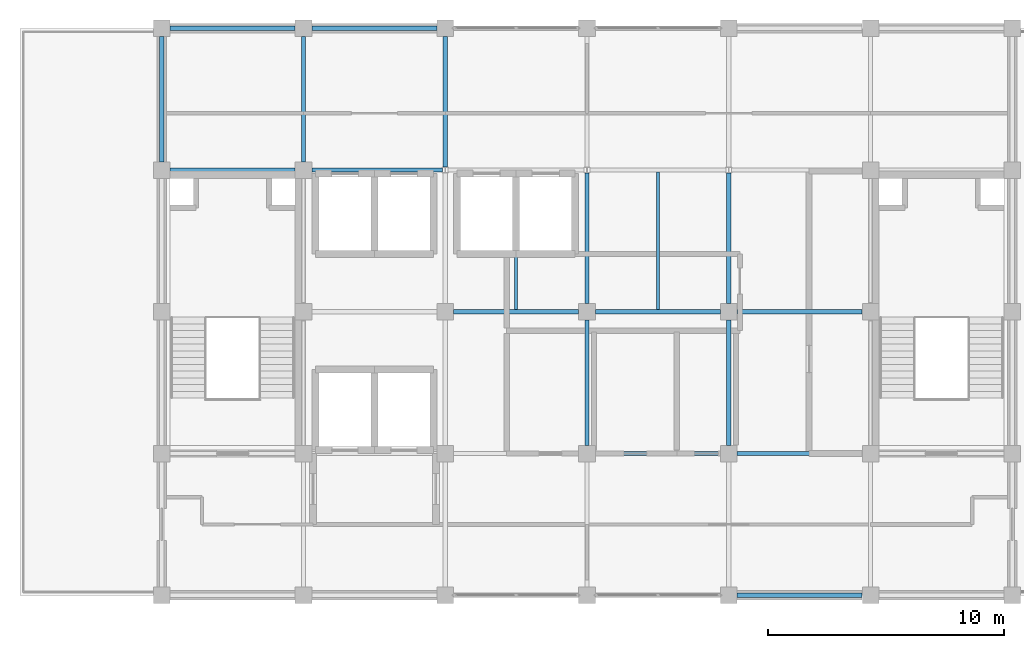
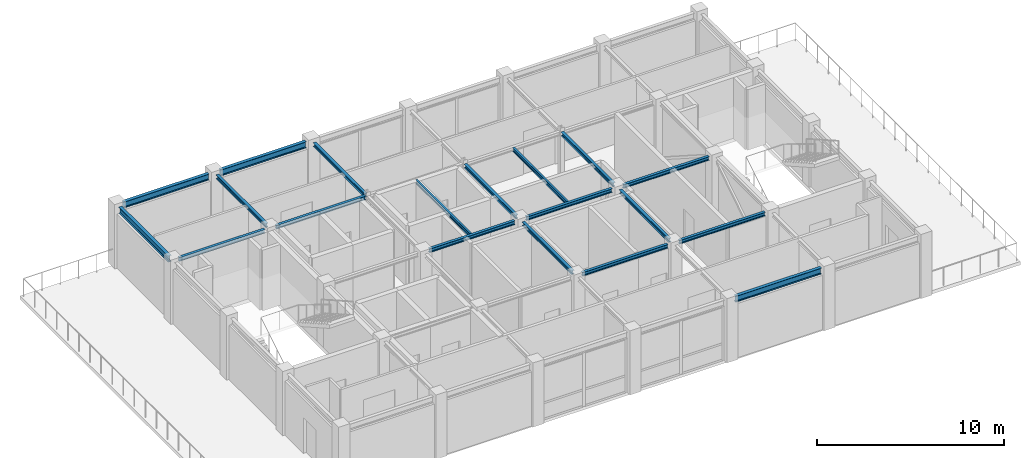
# One storey, part 7 of 14: 19 beams.
"""IFC4 building model written with IfcOpenShell, lengths in metres."""

from ifc_helpers import new_model, si_unit, direction, frame, origin, origin_2d, place, context, subcontext, project, spatial, i_section, extrude, material, material_profile, profile_set, type_object, element, save


model = new_model("IFC4")

# Units and contexts
model_context = context("Model", 3, precision=1e-05, world=origin(), true_north=direction((0.0, 1.0)))
body_context = subcontext(model_context, "Body", "Model", "MODEL_VIEW")
ifc_project = project(units=[si_unit("LENGTHUNIT", "METRE"), si_unit("AREAUNIT", "SQUARE_METRE"), si_unit("VOLUMEUNIT", "CUBIC_METRE"), si_unit("PLANEANGLEUNIT", "RADIAN"), si_unit("MASSUNIT", "GRAM", prefix="KILO")], contexts=[model_context])

# Site, building, storey
site_placement = place(None, origin())
site = spatial("IfcSite", under=ifc_project, at=site_placement, CompositionType="ELEMENT")
building_placement = place(site_placement, origin())
building = spatial("IfcBuilding", under=site, at=building_placement, Name="Zlatovratsky Civic Hall", CompositionType="ELEMENT")
storey_placement = place(building_placement, frame((0.0, 0.0, 67.800048828125)))
storey = spatial("IfcBuildingStorey", under=building, at=storey_placement, Name="L17", CompositionType="ELEMENT", Elevation=67.800048828125)

# Beams
ifc_material = material(Name="Steel S355", Category="steel")
ifc_material_profile_1 = material_profile(ifc_material, i_section(OverallWidth=0.175048828125, OverallDepth=0.243896484375, WebThickness=0.007080078125, FlangeThickness=0.010986328125, FilletRadius=0.01611328125, at=origin_2d()), Name="25Sh1")
ifc_profile_set_1 = profile_set([ifc_material_profile_1], Name="Steel S355")
beam_type_1 = type_object("IfcBeamType", Name="Beam_Crown_25Sh1", PredefinedType="BEAM", material=ifc_profile_set_1)
for number, where, z_axis, x_axis, name in (
    (1, (84.35009765625, 84.0, 3.837890625), (1.0, 0.0, 0.0), (0.0, 1.0, 0.0), "BM-5202"),
    (2, (90.35009765625, 84.0, 3.837890625), (1.0, 0.0, 0.0), (0.0, 1.0, 0.0), "BM-5203"),
    (3, (78.35009765625, 90.0, 3.837890625), (1.0, 0.0, 0.0), (0.0, 1.0, 0.0), "BM-5206"),
    (4, (84.35009765625, 90.0, 3.837890625), (1.0, 0.0, 0.0), (0.0, 1.0, 0.0), "BM-5207"),
    (5, (90.35009765625, 90.0, 3.837890625), (1.0, 0.0, 0.0), (0.0, 1.0, 0.0), "BM-5208"),
    (6, (66.35009765625, 96.0, 3.837890625), (1.0, 0.0, 0.0), (0.0, 1.0, 0.0), "BM-5209"),
):
    element("IfcBeam", number, at=place(storey_placement, frame(where, z_axis=z_axis, x_axis=x_axis)), inside=storey, type_object=beam_type_1, Name=name, PredefinedType="BEAM", context=body_context, shape_type="SweptSolid", body=[
        extrude(i_section(OverallWidth=0.175048828125, OverallDepth=0.243896484375, WebThickness=0.007080078125, FlangeThickness=0.010986328125, FilletRadius=0.01611328125, at=origin_2d()), origin(), (0.0, 0.0, 1.0), 5.2998046875),
    ])
beam_1_placement = place(storey_placement, frame((72.35009765625, 96.0, 3.837890625), z_axis=(1.0, 0.0, 0.0), x_axis=(0.0, 1.0, 0.0)))
element("IfcBeam", 7, at=beam_1_placement, inside=storey, type_object=beam_type_1, Name="BM-5210", PredefinedType="BEAM", context=body_context, shape_type="SweptSolid", body=[
    extrude(i_section(OverallWidth=0.175048828125, OverallDepth=0.243896484375, WebThickness=0.007080078125, FlangeThickness=0.010986328125, FilletRadius=0.01611328125, at=origin_2d()), origin(), (0.0, 0.0, 1.0), 5.52490234375),
])
beam_2_placement = place(storey_placement, frame((72.0, 96.35009765625, 3.837890625), z_axis=(0.0, 1.0, 0.0), x_axis=(-1.0, 0.0, 0.0)))
element("IfcBeam", 8, at=beam_2_placement, inside=storey, type_object=beam_type_1, Name="BM-5228", PredefinedType="BEAM", context=body_context, shape_type="SweptSolid", body=[
    extrude(i_section(OverallWidth=0.175048828125, OverallDepth=0.243896484375, WebThickness=0.007080078125, FlangeThickness=0.010986328125, FilletRadius=0.01611328125, at=origin_2d()), origin(), (0.0, 0.0, 1.0), 5.2998046875),
])
beam_3_placement = place(storey_placement, frame((78.0, 96.125, 3.837890625), z_axis=(0.0, 1.0, 0.0), x_axis=(-1.0, 0.0, 0.0)))
element("IfcBeam", 9, at=beam_3_placement, inside=storey, type_object=beam_type_1, Name="BM-5232", PredefinedType="BEAM", context=body_context, shape_type="SweptSolid", body=[
    extrude(i_section(OverallWidth=0.175048828125, OverallDepth=0.243896484375, WebThickness=0.007080078125, FlangeThickness=0.010986328125, FilletRadius=0.01611328125, at=origin_2d()), origin(), (0.0, 0.0, 1.0), 5.52490234375),
])
beam_4_placement = place(storey_placement, frame((84.0, 84.35009765625, 3.837890625), z_axis=(0.0, 1.0, 0.0), x_axis=(-1.0, 0.0, 0.0)))
element("IfcBeam", 10, at=beam_4_placement, inside=storey, type_object=beam_type_1, Name="BM-5234", PredefinedType="BEAM", context=body_context, shape_type="SweptSolid", body=[
    extrude(i_section(OverallWidth=0.175048828125, OverallDepth=0.243896484375, WebThickness=0.007080078125, FlangeThickness=0.010986328125, FilletRadius=0.01611328125, at=origin_2d()), origin(), (0.0, 0.0, 1.0), 5.2998046875),
])
beam_5_placement = place(storey_placement, frame((84.0, 90.35009765625, 3.837890625), z_axis=(0.0, 1.0, 0.0), x_axis=(-1.0, 0.0, 0.0)))
element("IfcBeam", 11, at=beam_5_placement, inside=storey, type_object=beam_type_1, Name="BM-5235", PredefinedType="BEAM", context=body_context, shape_type="SweptSolid", body=[
    extrude(i_section(OverallWidth=0.175048828125, OverallDepth=0.243896484375, WebThickness=0.007080078125, FlangeThickness=0.010986328125, FilletRadius=0.01611328125, at=origin_2d()), origin(), (0.0, 0.0, 1.0), 5.52490234375),
])
beam_6_placement = place(storey_placement, frame((90.0, 84.35009765625, 3.837890625), z_axis=(0.0, 1.0, 0.0), x_axis=(-1.0, 0.0, 0.0)))
element("IfcBeam", 12, at=beam_6_placement, inside=storey, type_object=beam_type_1, Name="BM-5238", PredefinedType="BEAM", context=body_context, shape_type="SweptSolid", body=[
    extrude(i_section(OverallWidth=0.175048828125, OverallDepth=0.243896484375, WebThickness=0.007080078125, FlangeThickness=0.010986328125, FilletRadius=0.01611328125, at=origin_2d()), origin(), (0.0, 0.0, 1.0), 5.2998046875),
])
beam_7_placement = place(storey_placement, frame((90.0, 90.35009765625, 3.837890625), z_axis=(0.0, 1.0, 0.0), x_axis=(-1.0, 0.0, 0.0)))
element("IfcBeam", 13, at=beam_7_placement, inside=storey, type_object=beam_type_1, Name="BM-5239", PredefinedType="BEAM", context=body_context, shape_type="SweptSolid", body=[
    extrude(i_section(OverallWidth=0.175048828125, OverallDepth=0.243896484375, WebThickness=0.007080078125, FlangeThickness=0.010986328125, FilletRadius=0.01611328125, at=origin_2d()), origin(), (0.0, 0.0, 1.0), 5.52490234375),
])
ifc_material_profile_2 = material_profile(ifc_material, i_section(OverallWidth=0.199951171875, OverallDepth=0.39990234375, WebThickness=0.008056640625, FlangeThickness=0.012939453125, FilletRadius=0.014892578125, at=origin_2d()), Name="40B2")
ifc_profile_set_2 = profile_set([ifc_material_profile_2], Name="Steel S355")
beam_type_2 = type_object("IfcBeamType", Name="Beam_Spandrel_40B2", PredefinedType="SPANDREL", material=ifc_profile_set_2)
for number, where, z_axis, x_axis, name in (
    (14, (90.35009765625, 78.0, 3.760009765625), (1.0, 0.0, 0.0), (0.0, 1.0, 0.0), "BM-5197"),
    (15, (66.35009765625, 102.0, 3.760009765625), (1.0, 0.0, 0.0), (0.0, 1.0, 0.0), "BM-5215"),
    (16, (72.35009765625, 102.0, 3.760009765625), (1.0, 0.0, 0.0), (0.0, 1.0, 0.0), "BM-5216"),
    (17, (66.0, 96.35009765625, 3.760009765625), (0.0, 1.0, 0.0), (-1.0, 0.0, 0.0), "BM-5224"),
):
    element("IfcBeam", number, at=place(storey_placement, frame(where, z_axis=z_axis, x_axis=x_axis)), inside=storey, type_object=beam_type_2, Name=name, PredefinedType="SPANDREL", context=body_context, shape_type="SweptSolid", body=[
        extrude(i_section(OverallWidth=0.199951171875, OverallDepth=0.39990234375, WebThickness=0.008056640625, FlangeThickness=0.012939453125, FilletRadius=0.014892578125, at=origin_2d()), origin(), (0.0, 0.0, 1.0), 5.2998046875),
    ])
ifc_material_profile_3 = material_profile(ifc_material, i_section(OverallWidth=0.1240234375, OverallDepth=0.248046875, WebThickness=0.0048828125, FlangeThickness=0.008056640625, FilletRadius=0.011962890625, at=origin_2d()), Name="25B1")
ifc_profile_set_3 = profile_set([ifc_material_profile_3], Name="Steel S355")
beam_type_3 = type_object("IfcBeamType", Name="Joist_Upper_25B1", PredefinedType="JOIST", material=ifc_profile_set_3)
for number, where, z_axis, x_axis, name in (
    (18, (81.0, 90.08740234375, 3.8359375), (0.0, 1.0, 0.0), (-1.0, 0.0, 0.0), "BM-5249"),
    (19, (87.0, 90.08740234375, 3.8359375), (0.0, 1.0, 0.0), (-1.0, 0.0, 0.0), "BM-5250"),
):
    element("IfcBeam", number, at=place(storey_placement, frame(where, z_axis=z_axis, x_axis=x_axis)), inside=storey, type_object=beam_type_3, Name=name, PredefinedType="JOIST", context=body_context, shape_type="SweptSolid", body=[
        extrude(i_section(OverallWidth=0.1240234375, OverallDepth=0.248046875, WebThickness=0.0048828125, FlangeThickness=0.008056640625, FilletRadius=0.011962890625, at=origin_2d()), origin(), (0.0, 0.0, 1.0), 5.8251953125),
    ])

save(model, "model.ifc")
